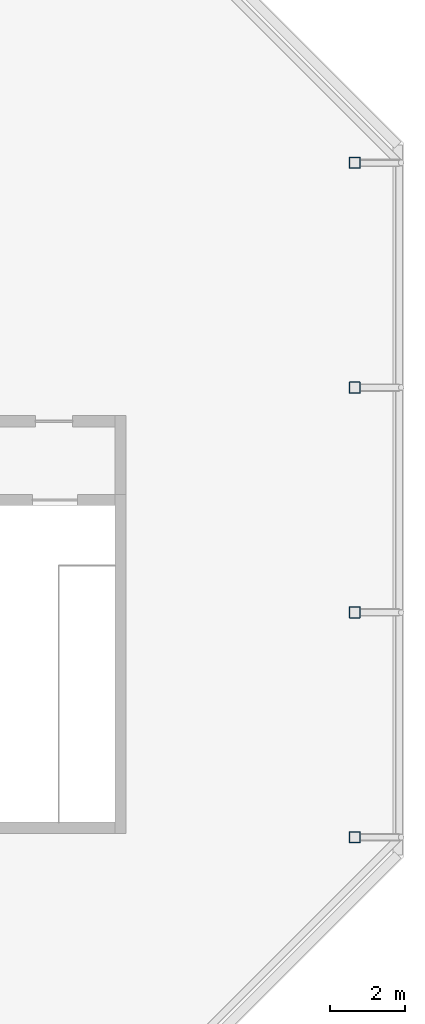
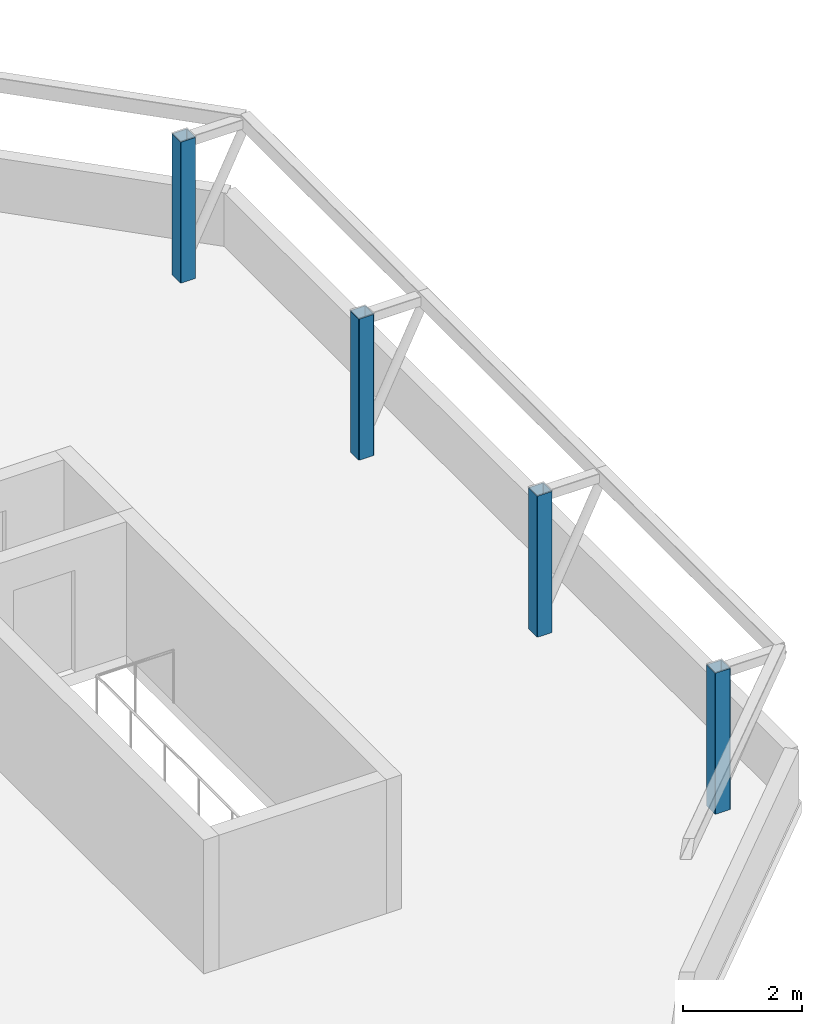
# One storey, part 2 of 6: 4 columns.
"""IFC4 building model written with IfcOpenShell, lengths in metres."""

from ifc_helpers import new_model, si_unit, direction, frame, origin, origin_2d, place, context, subcontext, project, spatial, hollow_rectangle, extrude, material, material_profile, profile_set, type_object, element, save


model = new_model("IFC4")

# Units and contexts
model_context = context("Model", 3, precision=1e-05, world=origin(), true_north=direction((0.0, 1.0)))
body_context = subcontext(model_context, "Body", "Model", "MODEL_VIEW")
ifc_project = project(units=[si_unit("LENGTHUNIT", "METRE"), si_unit("AREAUNIT", "SQUARE_METRE"), si_unit("VOLUMEUNIT", "CUBIC_METRE"), si_unit("PLANEANGLEUNIT", "RADIAN"), si_unit("MASSUNIT", "GRAM", prefix="KILO")], contexts=[model_context])

# Site, building, storey
site_placement = place(None, origin())
site = spatial("IfcSite", under=ifc_project, at=site_placement, CompositionType="ELEMENT")
building_placement = place(site_placement, origin())
building = spatial("IfcBuilding", under=site, at=building_placement, Name="Highveld Stack Headquarters", CompositionType="ELEMENT")
storey_placement = place(building_placement, frame((0.0, 0.0, 305.699951171875)))
storey = spatial("IfcBuildingStorey", under=building, at=storey_placement, Name="RF", CompositionType="ELEMENT", Elevation=305.699951171875)

# Columns
ifc_material = material(Name="Steel S355JR", Category="steel")
ifc_material_profile = material_profile(ifc_material, hollow_rectangle(XDim=0.300048828125, YDim=0.300048828125, WallThickness=0.012451171875, InnerFilletRadius=0.012451171875, OuterFilletRadius=0.018798828125, at=origin_2d()), Name="300x300x12.5 SHS")
ifc_profile_set = profile_set([ifc_material_profile], Name="Steel S355JR")
column_type = type_object("IfcColumnType", Name="LANTERN POST 300x300x12.5 SHS", PredefinedType="COLUMN", material=ifc_profile_set)
for number, where, z_axis, x_axis, name in (
    (1, (24.0, -6.0, 0.0), (0.0, 0.0, 1.0), (1.0, 0.0, 0.0), "Lantern post 10/D"),
    (2, (24.0, 0.0, 0.0), (0.0, 0.0, 1.0), (1.0, 0.0, 0.0), "Lantern post 10/E"),
    (3, (24.0, 6.0, 0.0), (0.0, 0.0, 1.0), (1.0, 0.0, 0.0), "Lantern post 10/F"),
    (4, (24.0, 12.0, 0.0), (0.0, 0.0, 1.0), (1.0, 0.0, 0.0), "Lantern post 10/G"),
):
    element("IfcColumn", number, at=place(storey_placement, frame(where, z_axis=z_axis, x_axis=x_axis)), inside=storey, type_object=column_type, Name=name, PredefinedType="COLUMN", context=body_context, shape_type="SweptSolid", body=[
        extrude(hollow_rectangle(XDim=0.300048828125, YDim=0.300048828125, WallThickness=0.012451171875, InnerFilletRadius=0.012451171875, OuterFilletRadius=0.018798828125, at=origin_2d()), origin(), (0.0, 0.0, 1.0), 2.900146484375),
    ])

save(model, "model.ifc")
